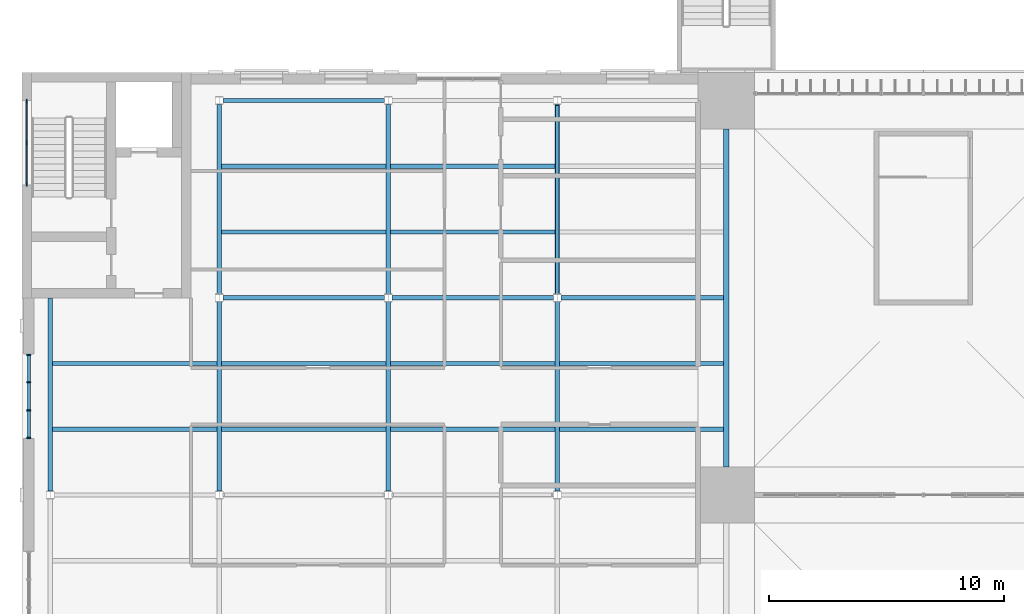
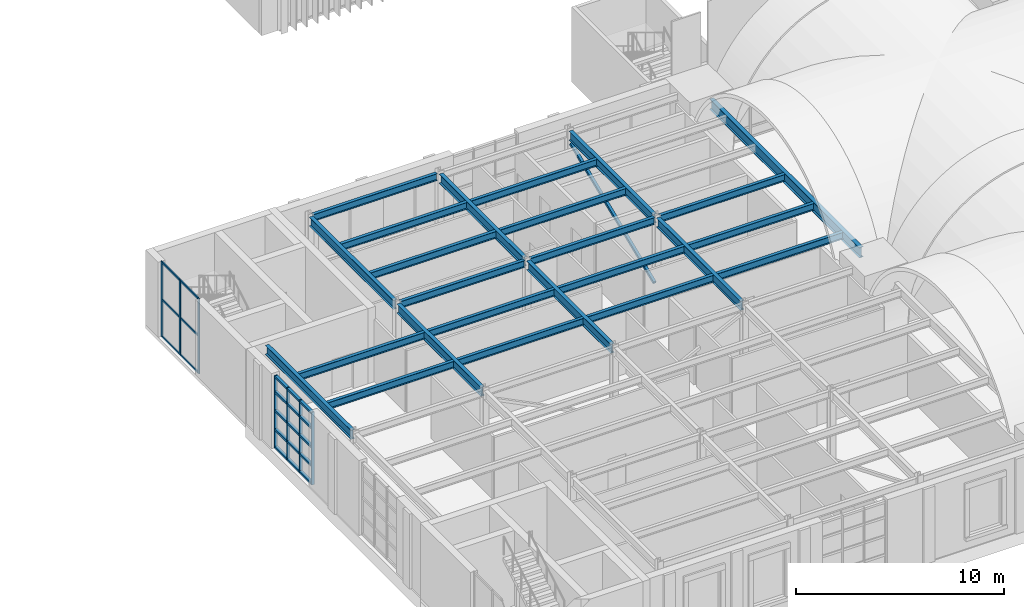
# One storey, part 26 of 169: 29 members, 24 beams, 2 elements without a shape of their own.
"""IFC4 building model written with IfcOpenShell, lengths in metres."""

from ifc_helpers import new_model, si_unit, direction, frame, origin, origin_2d, place, context, subcontext, project, spatial, rectangle, hollow_rectangle, i_section, extrude, material, layer, layer_set, material_profile, profile_set, type_object, element, aggregate, save


model = new_model("IFC4")

# Units and contexts
model_context = context("Model", 3, precision=1e-05, world=origin(), true_north=direction((0.0, 1.0)))
body_context = subcontext(model_context, "Body", "Model", "MODEL_VIEW")
ifc_project = project(units=[si_unit("LENGTHUNIT", "METRE"), si_unit("AREAUNIT", "SQUARE_METRE"), si_unit("VOLUMEUNIT", "CUBIC_METRE"), si_unit("PLANEANGLEUNIT", "RADIAN"), si_unit("MASSUNIT", "GRAM", prefix="KILO")], contexts=[model_context])

# Site, building, storey
site_placement = place(None, origin())
site = spatial("IfcSite", under=ifc_project, at=site_placement, CompositionType="ELEMENT")
building_placement = place(site_placement, origin())
building = spatial("IfcBuilding", under=site, at=building_placement, Name="Verrick Yard Athletic Hall", CompositionType="ELEMENT")
storey_placement = place(building_placement, frame((0.0, 0.0, 4.39990234375)))
storey = spatial("IfcBuildingStorey", under=building, at=storey_placement, Name="L01", CompositionType="ELEMENT", Elevation=4.39990234375)

# Curtain wall, members
ifc_material_1 = material(Name="Aluminium 6063-T5", Category="aluminium")
curtain_wall_type_1 = type_object("IfcCurtainWallType", Name="Core glazing strip", PredefinedType="NOTDEFINED", material=ifc_material_1)
curtain_wall_1_placement = place(storey_placement, origin())
curtain_wall_1 = element("IfcCurtainWall", 1, at=curtain_wall_1_placement, inside=storey, type_object=curtain_wall_type_1, Name="CORE-CB2-CW-L01", PredefinedType="NOTDEFINED")
ifc_material_profile_1 = material_profile(ifc_material_1, rectangle(XDim=0.06005859375, YDim=0.159912109375, at=origin_2d()), Name="Core glazing mullion 60x160")
ifc_profile_set_1 = profile_set([ifc_material_profile_1], Name="Aluminium 6063-T5")
member_type_1 = type_object("IfcMemberType", Name="Core glazing mullion 60x160", PredefinedType="MULLION", material=ifc_profile_set_1)
member_1_placement = place(storey_placement, frame((10.199951171875, 49.22998046875, 0.0), z_axis=(0.0, 0.0, 1.0), x_axis=(-1.0, 0.0, 0.0)))
member_1 = element("IfcMember", 2, at=member_1_placement, type_object=member_type_1, Name="CW5 mullion 1", PredefinedType="MULLION", context=body_context, shape_type="SweptSolid", body=[
    extrude(rectangle(XDim=0.06005859375, YDim=0.159912109375, at=origin_2d()), origin(), (0.0, 0.0, 1.0), 4.400146484375),
])
member_2_placement = place(storey_placement, frame((10.199951171875, 51.0, 0.0), z_axis=(0.0, 0.0, 1.0), x_axis=(-1.0, 0.0, 0.0)))
member_2 = element("IfcMember", 3, at=member_2_placement, type_object=member_type_1, Name="CW5 mullion 2", PredefinedType="MULLION", context=body_context, shape_type="SweptSolid", body=[
    extrude(rectangle(XDim=0.06005859375, YDim=0.159912109375, at=origin_2d()), origin(), (0.0, 0.0, 1.0), 4.400146484375),
])
member_3_placement = place(storey_placement, frame((10.199951171875, 52.77001953125, 0.0), z_axis=(0.0, 0.0, 1.0), x_axis=(-1.0, 0.0, 0.0)))
member_3 = element("IfcMember", 4, at=member_3_placement, type_object=member_type_1, Name="CW5 mullion 3", PredefinedType="MULLION", context=body_context, shape_type="SweptSolid", body=[
    extrude(rectangle(XDim=0.06005859375, YDim=0.159912109375, at=origin_2d()), origin(), (0.0, 0.0, 1.0), 4.400146484375),
])
ifc_material_profile_2 = material_profile(ifc_material_1, rectangle(XDim=0.06005859375, YDim=0.1201171875, at=origin_2d()), Name="Core glazing transom 60x120")
ifc_profile_set_2 = profile_set([ifc_material_profile_2], Name="Aluminium 6063-T5")
member_type_2 = type_object("IfcMemberType", Name="Core glazing transom 60x120", PredefinedType="USERDEFINED", material=ifc_profile_set_2)
member_4_placement = place(storey_placement, frame((10.199951171875, 49.260009765625, 0.030029296875), z_axis=(0.0, 1.0, 0.0), x_axis=(-1.0, 0.0, 0.0)))
member_4 = element("IfcMember", 5, at=member_4_placement, type_object=member_type_2, Name="CW5 transom 1.1", ObjectType="TRANSOM", PredefinedType="USERDEFINED", context=body_context, shape_type="SweptSolid", body=[
    extrude(rectangle(XDim=0.06005859375, YDim=0.1201171875, at=origin_2d()), origin(), (0.0, 0.0, 1.0), 1.7099609375),
])
member_5_placement = place(storey_placement, frame((10.199951171875, 49.260009765625, 2.2001953125), z_axis=(0.0, 1.0, 0.0), x_axis=(-1.0, 0.0, 0.0)))
member_5 = element("IfcMember", 6, at=member_5_placement, type_object=member_type_2, Name="CW5 transom 1.2", ObjectType="TRANSOM", PredefinedType="USERDEFINED", context=body_context, shape_type="SweptSolid", body=[
    extrude(rectangle(XDim=0.06005859375, YDim=0.1201171875, at=origin_2d()), origin(), (0.0, 0.0, 1.0), 1.7099609375),
])
member_6_placement = place(storey_placement, frame((10.199951171875, 49.260009765625, 4.3701171875), z_axis=(0.0, 1.0, 0.0), x_axis=(-1.0, 0.0, 0.0)))
member_6 = element("IfcMember", 7, at=member_6_placement, type_object=member_type_2, Name="CW5 transom 1.3", ObjectType="TRANSOM", PredefinedType="USERDEFINED", context=body_context, shape_type="SweptSolid", body=[
    extrude(rectangle(XDim=0.06005859375, YDim=0.1201171875, at=origin_2d()), origin(), (0.0, 0.0, 1.0), 1.7099609375),
])
member_7_placement = place(storey_placement, frame((10.199951171875, 51.030029296875, 0.030029296875), z_axis=(0.0, 1.0, 0.0), x_axis=(-1.0, 0.0, 0.0)))
member_7 = element("IfcMember", 8, at=member_7_placement, type_object=member_type_2, Name="CW5 transom 2.1", ObjectType="TRANSOM", PredefinedType="USERDEFINED", context=body_context, shape_type="SweptSolid", body=[
    extrude(rectangle(XDim=0.06005859375, YDim=0.1201171875, at=origin_2d()), origin(), (0.0, 0.0, 1.0), 1.7099609375),
])
member_8_placement = place(storey_placement, frame((10.199951171875, 51.030029296875, 2.2001953125), z_axis=(0.0, 1.0, 0.0), x_axis=(-1.0, 0.0, 0.0)))
member_8 = element("IfcMember", 9, at=member_8_placement, type_object=member_type_2, Name="CW5 transom 2.2", ObjectType="TRANSOM", PredefinedType="USERDEFINED", context=body_context, shape_type="SweptSolid", body=[
    extrude(rectangle(XDim=0.06005859375, YDim=0.1201171875, at=origin_2d()), origin(), (0.0, 0.0, 1.0), 1.7099609375),
])
member_9_placement = place(storey_placement, frame((10.199951171875, 51.030029296875, 4.3701171875), z_axis=(0.0, 1.0, 0.0), x_axis=(-1.0, 0.0, 0.0)))
member_9 = element("IfcMember", 10, at=member_9_placement, type_object=member_type_2, Name="CW5 transom 2.3", ObjectType="TRANSOM", PredefinedType="USERDEFINED", context=body_context, shape_type="SweptSolid", body=[
    extrude(rectangle(XDim=0.06005859375, YDim=0.1201171875, at=origin_2d()), origin(), (0.0, 0.0, 1.0), 1.7099609375),
])
aggregate(curtain_wall_1, [member_1, member_2, member_3, member_4, member_5, member_6, member_7, member_8, member_9])

ifc_material_2 = material(Name="Anodised aluminium", Category="aluminium")
ifc_layer = layer(ifc_material_2, 0.199951171875)
ifc_layer_set = layer_set([ifc_layer], Name="Front glazing")
curtain_wall_type_2 = type_object("IfcCurtainWallType", Name="Front glazing", PredefinedType="NOTDEFINED", material=ifc_layer_set)
curtain_wall_2_placement = place(storey_placement, origin())
curtain_wall_2 = element("IfcCurtainWall", 11, at=curtain_wall_2_placement, inside=storey, type_object=curtain_wall_type_2, Name="ENVB-WW-L01-CW384", PredefinedType="NOTDEFINED")
ifc_material_profile_3 = material_profile(ifc_material_2, rectangle(XDim=0.159912109375, YDim=0.06005859375, at=origin_2d()), Name="CW mullion 60x160")
ifc_profile_set_3 = profile_set([ifc_material_profile_3], Name="Anodised aluminium")
member_type_3 = type_object("IfcMemberType", Name="Front glazing mullion 60x160", PredefinedType="MULLION", material=ifc_profile_set_3)
member_10_placement = place(storey_placement, frame((10.28125, 38.429931640625, 0.0), z_axis=(0.0, 0.0, 1.0), x_axis=(-1.0, 0.0, 0.0)))
member_10 = element("IfcMember", 12, at=member_10_placement, type_object=member_type_3, Name="ENVB-WW-L01-CW384/M00", PredefinedType="MULLION", context=body_context, shape_type="SweptSolid", body=[
    extrude(rectangle(XDim=0.159912109375, YDim=0.06005859375, at=origin_2d()), origin(), (0.0, 0.0, 1.0), 4.25),
])
member_11_placement = place(storey_placement, frame((10.28125, 39.60009765625, 0.0), z_axis=(0.0, 0.0, 1.0), x_axis=(-1.0, 0.0, 0.0)))
member_11 = element("IfcMember", 13, at=member_11_placement, type_object=member_type_3, Name="ENVB-WW-L01-CW384/M01", PredefinedType="MULLION", context=body_context, shape_type="SweptSolid", body=[
    extrude(rectangle(XDim=0.159912109375, YDim=0.06005859375, at=origin_2d()), origin(), (0.0, 0.0, 1.0), 4.25),
])
member_12_placement = place(storey_placement, frame((10.28125, 40.800048828125, 0.0), z_axis=(0.0, 0.0, 1.0), x_axis=(-1.0, 0.0, 0.0)))
member_12 = element("IfcMember", 14, at=member_12_placement, type_object=member_type_3, Name="ENVB-WW-L01-CW384/M02", PredefinedType="MULLION", context=body_context, shape_type="SweptSolid", body=[
    extrude(rectangle(XDim=0.159912109375, YDim=0.06005859375, at=origin_2d()), origin(), (0.0, 0.0, 1.0), 4.25),
])
member_13_placement = place(storey_placement, frame((10.28125, 41.969970703125, 0.0), z_axis=(0.0, 0.0, 1.0), x_axis=(-1.0, 0.0, 0.0)))
member_13 = element("IfcMember", 15, at=member_13_placement, type_object=member_type_3, Name="ENVB-WW-L01-CW384/M03", PredefinedType="MULLION", context=body_context, shape_type="SweptSolid", body=[
    extrude(rectangle(XDim=0.159912109375, YDim=0.06005859375, at=origin_2d()), origin(), (0.0, 0.0, 1.0), 4.25),
])
ifc_material_profile_4 = material_profile(ifc_material_2, rectangle(XDim=0.159912109375, YDim=0.1201171875, at=origin_2d()), Name="CW transom 160x120")
ifc_profile_set_4 = profile_set([ifc_material_profile_4], Name="Anodised aluminium")
member_type_4 = type_object("IfcMemberType", Name="Front glazing transom 160x120", PredefinedType="USERDEFINED", material=ifc_profile_set_4)
member_14_placement = place(storey_placement, frame((10.28125, 38.4599609375, 0.06005859375), z_axis=(0.0, 1.0, 0.0), x_axis=(-1.0, 0.0, 0.0)))
member_14 = element("IfcMember", 16, at=member_14_placement, type_object=member_type_4, Name="ENVB-WW-L01-CW384/T00-00", ObjectType="TRANSOM", PredefinedType="USERDEFINED", context=body_context, shape_type="SweptSolid", body=[
    extrude(rectangle(XDim=0.159912109375, YDim=0.1201171875, at=origin_2d()), origin(), (0.0, 0.0, 1.0), 1.110107421875),
])
member_15_placement = place(storey_placement, frame((10.28125, 38.4599609375, 1.10009765625), z_axis=(0.0, 1.0, 0.0), x_axis=(-1.0, 0.0, 0.0)))
member_15 = element("IfcMember", 17, at=member_15_placement, type_object=member_type_4, Name="ENVB-WW-L01-CW384/T00-01", ObjectType="TRANSOM", PredefinedType="USERDEFINED", context=body_context, shape_type="SweptSolid", body=[
    extrude(rectangle(XDim=0.159912109375, YDim=0.1201171875, at=origin_2d()), origin(), (0.0, 0.0, 1.0), 1.110107421875),
])
member_16_placement = place(storey_placement, frame((10.28125, 38.4599609375, 2.2001953125), z_axis=(0.0, 1.0, 0.0), x_axis=(-1.0, 0.0, 0.0)))
member_16 = element("IfcMember", 18, at=member_16_placement, type_object=member_type_4, Name="ENVB-WW-L01-CW384/T00-02", ObjectType="TRANSOM", PredefinedType="USERDEFINED", context=body_context, shape_type="SweptSolid", body=[
    extrude(rectangle(XDim=0.159912109375, YDim=0.1201171875, at=origin_2d()), origin(), (0.0, 0.0, 1.0), 1.110107421875),
])
member_17_placement = place(storey_placement, frame((10.28125, 38.4599609375, 3.300048828125), z_axis=(0.0, 1.0, 0.0), x_axis=(-1.0, 0.0, 0.0)))
member_17 = element("IfcMember", 19, at=member_17_placement, type_object=member_type_4, Name="ENVB-WW-L01-CW384/T00-03", ObjectType="TRANSOM", PredefinedType="USERDEFINED", context=body_context, shape_type="SweptSolid", body=[
    extrude(rectangle(XDim=0.159912109375, YDim=0.1201171875, at=origin_2d()), origin(), (0.0, 0.0, 1.0), 1.110107421875),
])
member_18_placement = place(storey_placement, frame((10.28125, 38.4599609375, 4.190185546875), z_axis=(0.0, 1.0, 0.0), x_axis=(-1.0, 0.0, 0.0)))
member_18 = element("IfcMember", 20, at=member_18_placement, type_object=member_type_4, Name="ENVB-WW-L01-CW384/T00-04", ObjectType="TRANSOM", PredefinedType="USERDEFINED", context=body_context, shape_type="SweptSolid", body=[
    extrude(rectangle(XDim=0.159912109375, YDim=0.1201171875, at=origin_2d()), origin(), (0.0, 0.0, 1.0), 1.110107421875),
])
member_19_placement = place(storey_placement, frame((10.28125, 39.6298828125, 0.06005859375), z_axis=(0.0, 1.0, 0.0), x_axis=(-1.0, 0.0, 0.0)))
member_19 = element("IfcMember", 21, at=member_19_placement, type_object=member_type_4, Name="ENVB-WW-L01-CW384/T01-00", ObjectType="TRANSOM", PredefinedType="USERDEFINED", context=body_context, shape_type="SweptSolid", body=[
    extrude(rectangle(XDim=0.159912109375, YDim=0.1201171875, at=origin_2d()), origin(), (0.0, 0.0, 1.0), 1.14013671875),
])
member_20_placement = place(storey_placement, frame((10.28125, 39.6298828125, 1.10009765625), z_axis=(0.0, 1.0, 0.0), x_axis=(-1.0, 0.0, 0.0)))
member_20 = element("IfcMember", 22, at=member_20_placement, type_object=member_type_4, Name="ENVB-WW-L01-CW384/T01-01", ObjectType="TRANSOM", PredefinedType="USERDEFINED", context=body_context, shape_type="SweptSolid", body=[
    extrude(rectangle(XDim=0.159912109375, YDim=0.1201171875, at=origin_2d()), origin(), (0.0, 0.0, 1.0), 1.14013671875),
])
member_21_placement = place(storey_placement, frame((10.28125, 39.6298828125, 2.2001953125), z_axis=(0.0, 1.0, 0.0), x_axis=(-1.0, 0.0, 0.0)))
member_21 = element("IfcMember", 23, at=member_21_placement, type_object=member_type_4, Name="ENVB-WW-L01-CW384/T01-02", ObjectType="TRANSOM", PredefinedType="USERDEFINED", context=body_context, shape_type="SweptSolid", body=[
    extrude(rectangle(XDim=0.159912109375, YDim=0.1201171875, at=origin_2d()), origin(), (0.0, 0.0, 1.0), 1.14013671875),
])
member_22_placement = place(storey_placement, frame((10.28125, 39.6298828125, 3.300048828125), z_axis=(0.0, 1.0, 0.0), x_axis=(-1.0, 0.0, 0.0)))
member_22 = element("IfcMember", 24, at=member_22_placement, type_object=member_type_4, Name="ENVB-WW-L01-CW384/T01-03", ObjectType="TRANSOM", PredefinedType="USERDEFINED", context=body_context, shape_type="SweptSolid", body=[
    extrude(rectangle(XDim=0.159912109375, YDim=0.1201171875, at=origin_2d()), origin(), (0.0, 0.0, 1.0), 1.14013671875),
])
member_23_placement = place(storey_placement, frame((10.28125, 39.6298828125, 4.190185546875), z_axis=(0.0, 1.0, 0.0), x_axis=(-1.0, 0.0, 0.0)))
member_23 = element("IfcMember", 25, at=member_23_placement, type_object=member_type_4, Name="ENVB-WW-L01-CW384/T01-04", ObjectType="TRANSOM", PredefinedType="USERDEFINED", context=body_context, shape_type="SweptSolid", body=[
    extrude(rectangle(XDim=0.159912109375, YDim=0.1201171875, at=origin_2d()), origin(), (0.0, 0.0, 1.0), 1.14013671875),
])
member_24_placement = place(storey_placement, frame((10.28125, 40.830078125, 0.06005859375), z_axis=(0.0, 1.0, 0.0), x_axis=(-1.0, 0.0, 0.0)))
member_24 = element("IfcMember", 26, at=member_24_placement, type_object=member_type_4, Name="ENVB-WW-L01-CW384/T02-00", ObjectType="TRANSOM", PredefinedType="USERDEFINED", context=body_context, shape_type="SweptSolid", body=[
    extrude(rectangle(XDim=0.159912109375, YDim=0.1201171875, at=origin_2d()), origin(), (0.0, 0.0, 1.0), 1.10986328125),
])
member_25_placement = place(storey_placement, frame((10.28125, 40.830078125, 1.10009765625), z_axis=(0.0, 1.0, 0.0), x_axis=(-1.0, 0.0, 0.0)))
member_25 = element("IfcMember", 27, at=member_25_placement, type_object=member_type_4, Name="ENVB-WW-L01-CW384/T02-01", ObjectType="TRANSOM", PredefinedType="USERDEFINED", context=body_context, shape_type="SweptSolid", body=[
    extrude(rectangle(XDim=0.159912109375, YDim=0.1201171875, at=origin_2d()), origin(), (0.0, 0.0, 1.0), 1.10986328125),
])
member_26_placement = place(storey_placement, frame((10.28125, 40.830078125, 2.2001953125), z_axis=(0.0, 1.0, 0.0), x_axis=(-1.0, 0.0, 0.0)))
member_26 = element("IfcMember", 28, at=member_26_placement, type_object=member_type_4, Name="ENVB-WW-L01-CW384/T02-02", ObjectType="TRANSOM", PredefinedType="USERDEFINED", context=body_context, shape_type="SweptSolid", body=[
    extrude(rectangle(XDim=0.159912109375, YDim=0.1201171875, at=origin_2d()), origin(), (0.0, 0.0, 1.0), 1.10986328125),
])
member_27_placement = place(storey_placement, frame((10.28125, 40.830078125, 3.300048828125), z_axis=(0.0, 1.0, 0.0), x_axis=(-1.0, 0.0, 0.0)))
member_27 = element("IfcMember", 29, at=member_27_placement, type_object=member_type_4, Name="ENVB-WW-L01-CW384/T02-03", ObjectType="TRANSOM", PredefinedType="USERDEFINED", context=body_context, shape_type="SweptSolid", body=[
    extrude(rectangle(XDim=0.159912109375, YDim=0.1201171875, at=origin_2d()), origin(), (0.0, 0.0, 1.0), 1.10986328125),
])
member_28_placement = place(storey_placement, frame((10.28125, 40.830078125, 4.190185546875), z_axis=(0.0, 1.0, 0.0), x_axis=(-1.0, 0.0, 0.0)))
member_28 = element("IfcMember", 30, at=member_28_placement, type_object=member_type_4, Name="ENVB-WW-L01-CW384/T02-04", ObjectType="TRANSOM", PredefinedType="USERDEFINED", context=body_context, shape_type="SweptSolid", body=[
    extrude(rectangle(XDim=0.159912109375, YDim=0.1201171875, at=origin_2d()), origin(), (0.0, 0.0, 1.0), 1.10986328125),
])
aggregate(curtain_wall_2, [member_10, member_11, member_12, member_13, member_14, member_15, member_16, member_17, member_18, member_19, member_20, member_21, member_22, member_23, member_24, member_25, member_26, member_27, member_28])

# Member
ifc_material_3 = material(Name="Structural steel HSS Class C 350W (CSA G40.20/G40.21)", Category="steel")
ifc_material_profile_5 = material_profile(ifc_material_3, hollow_rectangle(XDim=0.15234375, YDim=0.15234375, WallThickness=0.009521484375, at=origin_2d()), Name="HSS152x152x9.5")
ifc_profile_set_5 = profile_set([ifc_material_profile_5], Name="Structural steel HSS Class C 350W (CSA G40.20/G40.21)")
member_type_5 = type_object("IfcMemberType", Name="STR Wing brace HSS152x152x9.5", PredefinedType="BRACE", material=ifc_profile_set_5)
member_29_placement = place(storey_placement, frame((32.800048828125, 44.589599609375, 0.211669921875), z_axis=(0.0, 0.925035720113, 0.379880134405), x_axis=(-1.0, 0.0, 0.0)))
element("IfcMember", 31, at=member_29_placement, inside=storey, type_object=member_type_5, Name="STR-BR-W4-L01", PredefinedType="BRACE", context=body_context, shape_type="SweptSolid", body=[
    extrude(hollow_rectangle(XDim=0.15234375, YDim=0.15234375, WallThickness=0.009521484375, at=origin_2d()), origin(), (0.0, 0.0, 1.0), 8.6708984375),
])

# Beams
ifc_material_4 = material(Name="Structural steel 350W (CSA G40.21)", Category="steel")
ifc_material_profile_6 = material_profile(ifc_material_4, i_section(OverallWidth=0.22802734375, OverallDepth=0.60791015625, WebThickness=0.01123046875, FlangeThickness=0.017333984375, at=origin_2d()), Name="W610x113")
ifc_profile_set_6 = profile_set([ifc_material_profile_6], Name="Structural steel 350W (CSA G40.21)")
beam_type_1 = type_object("IfcBeamType", Name="STR Wing edge girder W610x113", PredefinedType="BEAM", material=ifc_profile_set_6)
beam_1_placement = place(storey_placement, frame((40.0, 37.199951171875, 3.946044921875), z_axis=(0.0, 1.0, 0.0), x_axis=(-1.0, 0.0, 0.0)))
element("IfcBeam", 32, at=beam_1_placement, inside=storey, type_object=beam_type_1, Name="STR-GB-WE-2", PredefinedType="BEAM", context=body_context, shape_type="SweptSolid", body=[
    extrude(i_section(OverallWidth=0.22802734375, OverallDepth=0.60791015625, WebThickness=0.01123046875, FlangeThickness=0.017333984375, at=origin_2d()), origin(), (0.0, 0.0, 1.0), 14.400146484375),
])
ifc_material_profile_7 = material_profile(ifc_material_4, i_section(OverallWidth=0.177978515625, OverallDepth=0.406982421875, WebThickness=0.0078125, FlangeThickness=0.0126953125, at=origin_2d()), Name="W410x60")
ifc_profile_set_7 = profile_set([ifc_material_profile_7], Name="Structural steel 350W (CSA G40.21)")
beam_type_2 = type_object("IfcBeamType", Name="STR Wing floor beam W410x60", PredefinedType="BEAM", material=ifc_profile_set_7)
for number, where, z_axis, x_axis, name in (
    (33, (18.554443359375, 44.39990234375, 4.046630859375), (1.0, 0.0, 0.0), (0.0, 1.0, 0.0), "STR-B-W88-44.4-1"),
    (34, (25.75439453125, 44.39990234375, 4.046630859375), (1.0, 0.0, 0.0), (0.0, 1.0, 0.0), "STR-B-W88-44.4-2"),
):
    element("IfcBeam", number, at=place(storey_placement, frame(where, z_axis=z_axis, x_axis=x_axis)), inside=storey, type_object=beam_type_2, Name=name, PredefinedType="BEAM", context=body_context, shape_type="SweptSolid", body=[
        extrude(i_section(OverallWidth=0.177978515625, OverallDepth=0.406982421875, WebThickness=0.0078125, FlangeThickness=0.0126953125, at=origin_2d()), origin(), (0.0, 0.0, 1.0), 6.89111328125),
    ])
beam_2_placement = place(storey_placement, frame((32.95458984375, 44.39990234375, 4.046630859375), z_axis=(1.0, 0.0, 0.0), x_axis=(0.0, 1.0, 0.0)))
element("IfcBeam", 35, at=beam_2_placement, inside=storey, type_object=beam_type_2, Name="STR-B-W88-44.4-3", PredefinedType="BEAM", context=body_context, shape_type="SweptSolid", body=[
    extrude(i_section(OverallWidth=0.177978515625, OverallDepth=0.406982421875, WebThickness=0.0078125, FlangeThickness=0.0126953125, at=origin_2d()), origin(), (0.0, 0.0, 1.0), 6.931396484375),
])
beam_3_placement = place(storey_placement, frame((18.554443359375, 52.800048828125, 4.046630859375), z_axis=(1.0, 0.0, 0.0), x_axis=(0.0, 1.0, 0.0)))
element("IfcBeam", 36, at=beam_3_placement, inside=storey, type_object=beam_type_2, Name="STR-B-W88-52.8-1", PredefinedType="BEAM", context=body_context, shape_type="SweptSolid", body=[
    extrude(i_section(OverallWidth=0.177978515625, OverallDepth=0.406982421875, WebThickness=0.0078125, FlangeThickness=0.0126953125, at=origin_2d()), origin(), (0.0, 0.0, 1.0), 6.89111328125),
])
beam_4_placement = place(storey_placement, frame((11.304443359375, 38.800048828125, 4.046630859375), z_axis=(1.0, 0.0, 0.0), x_axis=(0.0, 1.0, 0.0)))
element("IfcBeam", 37, at=beam_4_placement, inside=storey, type_object=beam_type_2, Name="STR-B-W88-38.8-1", PredefinedType="BEAM", context=body_context, shape_type="SweptSolid", body=[
    extrude(i_section(OverallWidth=0.177978515625, OverallDepth=0.406982421875, WebThickness=0.0078125, FlangeThickness=0.0126953125, at=origin_2d()), origin(), (0.0, 0.0, 1.0), 6.990966796875),
])
beam_5_placement = place(storey_placement, frame((18.50439453125, 38.800048828125, 4.046630859375), z_axis=(1.0, 0.0, 0.0), x_axis=(0.0, 1.0, 0.0)))
element("IfcBeam", 38, at=beam_5_placement, inside=storey, type_object=beam_type_2, Name="STR-B-W88-38.8-2", PredefinedType="BEAM", context=body_context, shape_type="SweptSolid", body=[
    extrude(i_section(OverallWidth=0.177978515625, OverallDepth=0.406982421875, WebThickness=0.0078125, FlangeThickness=0.0126953125, at=origin_2d()), origin(), (0.0, 0.0, 1.0), 6.9912109375),
])
beam_6_placement = place(storey_placement, frame((25.70458984375, 38.800048828125, 4.046630859375), z_axis=(1.0, 0.0, 0.0), x_axis=(0.0, 1.0, 0.0)))
element("IfcBeam", 39, at=beam_6_placement, inside=storey, type_object=beam_type_2, Name="STR-B-W88-38.8-3", PredefinedType="BEAM", context=body_context, shape_type="SweptSolid", body=[
    extrude(i_section(OverallWidth=0.177978515625, OverallDepth=0.406982421875, WebThickness=0.0078125, FlangeThickness=0.0126953125, at=origin_2d()), origin(), (0.0, 0.0, 1.0), 6.990966796875),
])
beam_7_placement = place(storey_placement, frame((32.904541015625, 38.800048828125, 4.046630859375), z_axis=(1.0, 0.0, 0.0), x_axis=(0.0, 1.0, 0.0)))
element("IfcBeam", 40, at=beam_7_placement, inside=storey, type_object=beam_type_2, Name="STR-B-W88-38.8-4", PredefinedType="BEAM", context=body_context, shape_type="SweptSolid", body=[
    extrude(i_section(OverallWidth=0.177978515625, OverallDepth=0.406982421875, WebThickness=0.0078125, FlangeThickness=0.0126953125, at=origin_2d()), origin(), (0.0, 0.0, 1.0), 6.9814453125),
])
beam_8_placement = place(storey_placement, frame((11.304443359375, 41.60009765625, 4.046630859375), z_axis=(1.0, 0.0, 0.0), x_axis=(0.0, 1.0, 0.0)))
element("IfcBeam", 41, at=beam_8_placement, inside=storey, type_object=beam_type_2, Name="STR-B-W88-41.6-1", PredefinedType="BEAM", context=body_context, shape_type="SweptSolid", body=[
    extrude(i_section(OverallWidth=0.177978515625, OverallDepth=0.406982421875, WebThickness=0.0078125, FlangeThickness=0.0126953125, at=origin_2d()), origin(), (0.0, 0.0, 1.0), 6.990966796875),
])
beam_9_placement = place(storey_placement, frame((18.50439453125, 41.60009765625, 4.046630859375), z_axis=(1.0, 0.0, 0.0), x_axis=(0.0, 1.0, 0.0)))
element("IfcBeam", 42, at=beam_9_placement, inside=storey, type_object=beam_type_2, Name="STR-B-W88-41.6-2", PredefinedType="BEAM", context=body_context, shape_type="SweptSolid", body=[
    extrude(i_section(OverallWidth=0.177978515625, OverallDepth=0.406982421875, WebThickness=0.0078125, FlangeThickness=0.0126953125, at=origin_2d()), origin(), (0.0, 0.0, 1.0), 6.9912109375),
])
beam_10_placement = place(storey_placement, frame((25.70458984375, 41.60009765625, 4.046630859375), z_axis=(1.0, 0.0, 0.0), x_axis=(0.0, 1.0, 0.0)))
element("IfcBeam", 43, at=beam_10_placement, inside=storey, type_object=beam_type_2, Name="STR-B-W88-41.6-3", PredefinedType="BEAM", context=body_context, shape_type="SweptSolid", body=[
    extrude(i_section(OverallWidth=0.177978515625, OverallDepth=0.406982421875, WebThickness=0.0078125, FlangeThickness=0.0126953125, at=origin_2d()), origin(), (0.0, 0.0, 1.0), 6.990966796875),
])
beam_11_placement = place(storey_placement, frame((32.904541015625, 41.60009765625, 4.046630859375), z_axis=(1.0, 0.0, 0.0), x_axis=(0.0, 1.0, 0.0)))
element("IfcBeam", 44, at=beam_11_placement, inside=storey, type_object=beam_type_2, Name="STR-B-W88-41.6-4", PredefinedType="BEAM", context=body_context, shape_type="SweptSolid", body=[
    extrude(i_section(OverallWidth=0.177978515625, OverallDepth=0.406982421875, WebThickness=0.0078125, FlangeThickness=0.0126953125, at=origin_2d()), origin(), (0.0, 0.0, 1.0), 6.9814453125),
])
beam_12_placement = place(storey_placement, frame((18.50439453125, 47.199951171875, 4.046630859375), z_axis=(1.0, 0.0, 0.0), x_axis=(0.0, 1.0, 0.0)))
element("IfcBeam", 45, at=beam_12_placement, inside=storey, type_object=beam_type_2, Name="STR-B-W88-47.2-1", PredefinedType="BEAM", context=body_context, shape_type="SweptSolid", body=[
    extrude(i_section(OverallWidth=0.177978515625, OverallDepth=0.406982421875, WebThickness=0.0078125, FlangeThickness=0.0126953125, at=origin_2d()), origin(), (0.0, 0.0, 1.0), 6.9912109375),
])
beam_13_placement = place(storey_placement, frame((25.70458984375, 47.199951171875, 4.046630859375), z_axis=(1.0, 0.0, 0.0), x_axis=(0.0, 1.0, 0.0)))
element("IfcBeam", 46, at=beam_13_placement, inside=storey, type_object=beam_type_2, Name="STR-B-W88-47.2-2", PredefinedType="BEAM", context=body_context, shape_type="SweptSolid", body=[
    extrude(i_section(OverallWidth=0.177978515625, OverallDepth=0.406982421875, WebThickness=0.0078125, FlangeThickness=0.0126953125, at=origin_2d()), origin(), (0.0, 0.0, 1.0), 6.990966796875),
])
beam_14_placement = place(storey_placement, frame((18.50439453125, 50.0, 4.046630859375), z_axis=(1.0, 0.0, 0.0), x_axis=(0.0, 1.0, 0.0)))
element("IfcBeam", 47, at=beam_14_placement, inside=storey, type_object=beam_type_2, Name="STR-B-W88-50-1", PredefinedType="BEAM", context=body_context, shape_type="SweptSolid", body=[
    extrude(i_section(OverallWidth=0.177978515625, OverallDepth=0.406982421875, WebThickness=0.0078125, FlangeThickness=0.0126953125, at=origin_2d()), origin(), (0.0, 0.0, 1.0), 6.9912109375),
])
beam_15_placement = place(storey_placement, frame((25.70458984375, 50.0, 4.046630859375), z_axis=(1.0, 0.0, 0.0), x_axis=(0.0, 1.0, 0.0)))
element("IfcBeam", 48, at=beam_15_placement, inside=storey, type_object=beam_type_2, Name="STR-B-W88-50-2", PredefinedType="BEAM", context=body_context, shape_type="SweptSolid", body=[
    extrude(i_section(OverallWidth=0.177978515625, OverallDepth=0.406982421875, WebThickness=0.0078125, FlangeThickness=0.0126953125, at=origin_2d()), origin(), (0.0, 0.0, 1.0), 6.990966796875),
])
ifc_material_profile_8 = material_profile(ifc_material_4, i_section(OverallWidth=0.208984375, OverallDepth=0.532958984375, WebThickness=0.01025390625, FlangeThickness=0.015625, at=origin_2d()), Name="W530x92")
ifc_profile_set_8 = profile_set([ifc_material_profile_8], Name="Structural steel 350W (CSA G40.21)")
beam_type_3 = type_object("IfcBeamType", Name="STR Wing girder W530x92", PredefinedType="BEAM", material=ifc_profile_set_8)
beam_16_placement = place(storey_placement, frame((11.199951171875, 36.16162109375, 3.983642578125), z_axis=(0.0, 1.0, 0.0), x_axis=(-1.0, 0.0, 0.0)))
element("IfcBeam", 49, at=beam_16_placement, inside=storey, type_object=beam_type_3, Name="STR-GB-W88-11.2-2", PredefinedType="BEAM", context=body_context, shape_type="SweptSolid", body=[
    extrude(i_section(OverallWidth=0.208984375, OverallDepth=0.532958984375, WebThickness=0.01025390625, FlangeThickness=0.015625, at=origin_2d()), origin(), (0.0, 0.0, 1.0), 8.23828125),
])
for number, where, z_axis, x_axis, name in (
    (50, (18.39990234375, 36.16162109375, 3.983642578125), (0.0, 1.0, 0.0), (-1.0, 0.0, 0.0), "STR-GB-W88-18.4-3"),
    (51, (18.39990234375, 44.5615234375, 3.983642578125), (0.0, 1.0, 0.0), (-1.0, 0.0, 0.0), "STR-GB-W88-18.4-4"),
    (52, (25.60009765625, 36.16162109375, 3.983642578125), (0.0, 1.0, 0.0), (-1.0, 0.0, 0.0), "STR-GB-W88-25.6-3"),
    (53, (25.60009765625, 44.5615234375, 3.983642578125), (0.0, 1.0, 0.0), (-1.0, 0.0, 0.0), "STR-GB-W88-25.6-4"),
    (54, (32.800048828125, 36.16162109375, 3.983642578125), (0.0, 1.0, 0.0), (-1.0, 0.0, 0.0), "STR-GB-W88-32.8-3"),
    (55, (32.800048828125, 44.5615234375, 3.983642578125), (0.0, 1.0, 0.0), (-1.0, 0.0, 0.0), "STR-GB-W88-32.8-4"),
):
    element("IfcBeam", number, at=place(storey_placement, frame(where, z_axis=z_axis, x_axis=x_axis)), inside=storey, type_object=beam_type_3, Name=name, PredefinedType="BEAM", context=body_context, shape_type="SweptSolid", body=[
        extrude(i_section(OverallWidth=0.208984375, OverallDepth=0.532958984375, WebThickness=0.01025390625, FlangeThickness=0.015625, at=origin_2d()), origin(), (0.0, 0.0, 1.0), 8.076904296875),
    ])

save(model, "model.ifc")
